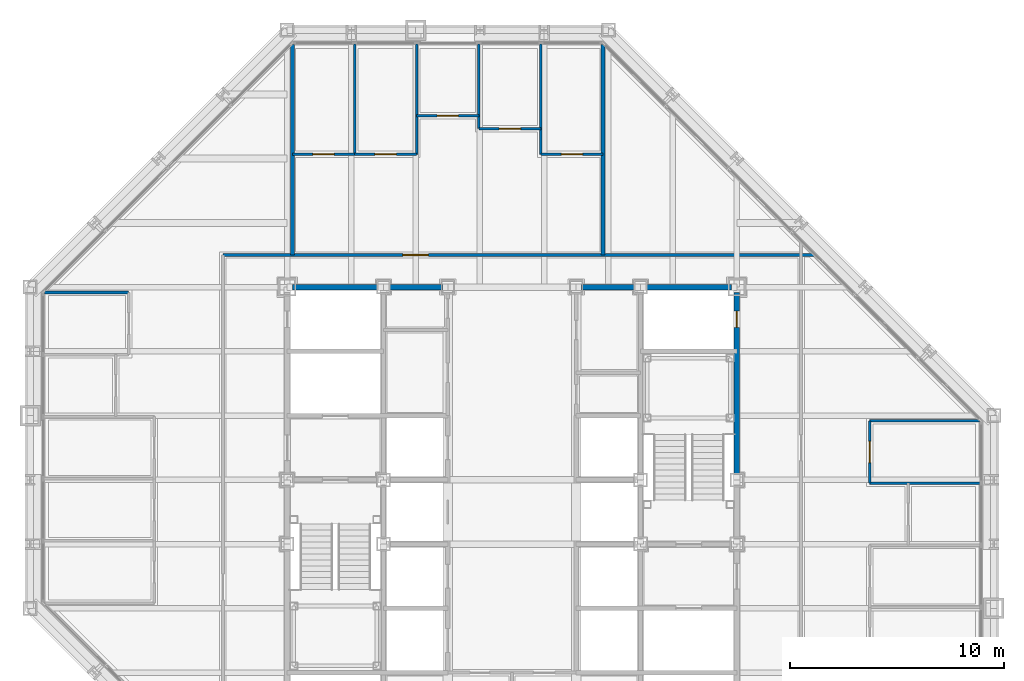
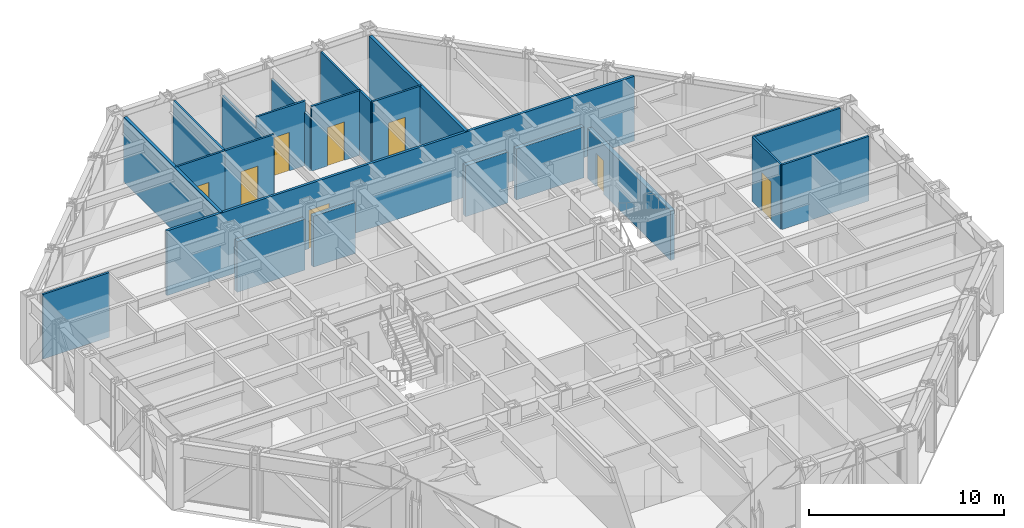
# One storey, part 12 of 15: 21 walls, 8 doors, 8 openings.
"""IFC4 building model written with IfcOpenShell, lengths in metres."""

from ifc_helpers import new_model, si_unit, direction, frame, frame_2d, origin, place, context, subcontext, project, spatial, rectangle, extrude, material, layer, layer_set, type_object, element, fill, save


model = new_model("IFC4")

# Units and contexts
model_context = context("Model", 3, precision=1e-05, world=origin(), true_north=direction((0.0, 1.0)))
body_context = subcontext(model_context, "Body", "Model", "MODEL_VIEW")
ifc_project = project(units=[si_unit("LENGTHUNIT", "METRE"), si_unit("AREAUNIT", "SQUARE_METRE"), si_unit("VOLUMEUNIT", "CUBIC_METRE"), si_unit("PLANEANGLEUNIT", "RADIAN"), si_unit("MASSUNIT", "GRAM", prefix="KILO")], contexts=[model_context])

# Site, building, storey
site_placement = place(None, origin())
site = spatial("IfcSite", under=ifc_project, at=site_placement, CompositionType="ELEMENT")
building_placement = place(site_placement, origin())
building = spatial("IfcBuilding", under=site, at=building_placement, Name="Chuquiago Exchange Tower", CompositionType="ELEMENT")
storey_placement = place(building_placement, frame((0.0, 0.0, 197.10009765625)))
storey = spatial("IfcBuildingStorey", under=building, at=storey_placement, Name="L43", CompositionType="ELEMENT", Elevation=197.10009765625)

# Walls
ifc_material_1 = material(Name="Concrete masonry, fully grouted", Category="masonry")
ifc_layer_1 = layer(ifc_material_1, 0.25)
ifc_layer_set_1 = layer_set([ifc_layer_1], Name="W1 core wall 250")
wall_type_1 = type_object("IfcWallType", Name="W1 core wall 250", PredefinedType="SOLIDWALL", material=ifc_layer_set_1)
wall_1_placement = place(storey_placement, frame((12.25, 33.0, 0.0), z_axis=(0.0, 0.0, 1.0), x_axis=(1.0, 0.0, 0.0)))
element("IfcWall", 1, at=wall_1_placement, inside=storey, type_object=wall_type_1, Name="CW-L43-11-0", PredefinedType="SOLIDWALL", context=body_context, shape_type="SweptSolid", body=[
    extrude(rectangle(XDim=4.0, YDim=0.25, at=frame_2d((2.0, 0.0))), origin(), (0.0, 0.0, 1.0), 3.181396484375),
])
for number, where, z_axis, x_axis, name in (
    (2, (16.75, 33.0, 0.0), (0.0, 0.0, 1.0), (1.0, 0.0, 0.0), "CW-L43-11-1"),
    (3, (25.75, 33.0, 0.0), (0.0, 0.0, 1.0), (1.0, 0.0, 0.0), "CW-L43-12-0"),
):
    element("IfcWall", number, at=place(storey_placement, frame(where, z_axis=z_axis, x_axis=x_axis)), inside=storey, type_object=wall_type_1, Name=name, PredefinedType="SOLIDWALL", context=body_context, shape_type="SweptSolid", body=[
        extrude(rectangle(XDim=2.5, YDim=0.25, at=frame_2d((1.25, 0.0))), origin(), (0.0, 0.0, 1.0), 3.181396484375),
    ])
wall_2_placement = place(storey_placement, frame((28.75, 33.0, 0.0), z_axis=(0.0, 0.0, 1.0), x_axis=(1.0, 0.0, 0.0)))
element("IfcWall", 4, at=wall_2_placement, inside=storey, type_object=wall_type_1, Name="CW-L43-12-1", PredefinedType="SOLIDWALL", context=body_context, shape_type="SweptSolid", body=[
    extrude(rectangle(XDim=4.0, YDim=0.25, at=frame_2d((2.0, 0.0))), origin(), (0.0, 0.0, 1.0), 3.181396484375),
])

# Wall, opening, door
wall_3_placement = place(storey_placement, frame((33.0, 24.25, 0.0), z_axis=(0.0, 0.0, 1.0), x_axis=(0.0, 1.0, 0.0)))
wall_3 = element("IfcWall", 5, at=wall_3_placement, inside=storey, type_object=wall_type_1, Name="CW-L43-25-2", PredefinedType="SOLIDWALL", context=body_context, shape_type="SweptSolid", body=[
    extrude(rectangle(XDim=8.5, YDim=0.25, at=frame_2d((4.25, 0.0))), origin(), (0.0, 0.0, 1.0), 3.11279296875),
])
opening_1_placement = place(wall_3_placement, frame((6.875, 0.0, 0.0)))
opening_1 = element("IfcOpeningElement", 6, at=opening_1_placement, cuts=wall_3, Name="Opening L43-010", PredefinedType="OPENING", context=body_context, shape_type="SweptSolid", body=[
    extrude(rectangle(XDim=0.75, YDim=2.10009765625, at=frame_2d((0.375, 1.050048828125))), frame((0.0, 0.135009765625, 0.0), z_axis=(0.0, -1.0, 0.0), x_axis=(1.0, 0.0, 0.0)), (0.0, 0.0, 1.0), 0.27001953125),
])
ifc_material_2 = material(Name="Steel door, painted", Category="steel")
door_type_1 = type_object("IfcDoorType", Name="D6 riser access door 750x2100", OperationType="SINGLE_SWING_LEFT", PredefinedType="DOOR", material=ifc_material_2)
door_1_placement = place(opening_1_placement, frame((0.75, 0.0, 0.0), z_axis=(0.0, 0.0, 1.0), x_axis=(-1.0, 0.0, 0.0)))
door_1 = element("IfcDoor", 7, at=door_1_placement, inside=storey, type_object=door_type_1, Name="Riser RE2 door", OperationType="SINGLE_SWING_LEFT", OverallHeight=2.10009765625, OverallWidth=0.75, PredefinedType="DOOR", context=body_context, shape_type="SweptSolid", body=[
    extrude(rectangle(XDim=0.75, YDim=2.10009765625, at=frame_2d((0.375, 1.050048828125))), frame((0.0, 0.02490234375, 0.0), z_axis=(0.0, -1.0, 0.0), x_axis=(1.0, 0.0, 0.0)), (0.0, 0.0, 1.0), 0.050048828125),
])
fill(opening_1, door_1)

ifc_material_3 = material(Name="Gypsum board on steel studs, acoustic insulation", Category="steel")
ifc_layer_2 = layer(ifc_material_3, 0.14990234375)
ifc_layer_set_2 = layer_set([ifc_layer_2], Name="W11 corridor wall 150")
wall_type_2 = type_object("IfcWallType", Name="W11 corridor wall 150", PredefinedType="PARTITIONING", material=ifc_layer_set_2)
wall_4_placement = place(storey_placement, frame((9.0, 34.5, 0.0), z_axis=(0.0, 0.0, 1.0), x_axis=(1.0, 0.0, 0.0)))
wall_4 = element("IfcWall", 8, at=wall_4_placement, inside=storey, type_object=wall_type_2, Name="PW-L43-CN", PredefinedType="PARTITIONING", context=body_context, shape_type="SweptSolid", body=[
    extrude(rectangle(XDim=27.614501953125, YDim=0.14990234375, at=frame_2d((13.80712890625, 0.0))), origin(), (0.0, 0.0, 1.0), 4.039794921875),
])
opening_2_placement = place(wall_4_placement, frame((8.39990234375, 0.0, 0.0)))
opening_2 = element("IfcOpeningElement", 9, at=opening_2_placement, cuts=wall_4, Name="Opening L43-040", PredefinedType="OPENING", context=body_context, shape_type="SweptSolid", body=[
    extrude(rectangle(XDim=1.199951171875, YDim=2.39990234375, at=frame_2d((0.60009765625, 1.199951171875))), frame((0.0, 0.0849609375, 0.0), z_axis=(0.0, -1.0, 0.0), x_axis=(1.0, 0.0, 0.0)), (0.0, 0.0, 1.0), 0.169921875),
])
ifc_material_4 = material(Name="Timber door, laminate faced", Category="wood")
door_type_2 = type_object("IfcDoorType", Name="D13 suite entrance door 1200x2400", OperationType="SINGLE_SWING_LEFT", PredefinedType="DOOR", material=ifc_material_4)
door_2_placement = place(opening_2_placement, origin())
door_2 = element("IfcDoor", 10, at=door_2_placement, inside=storey, type_object=door_type_2, Name="North suite entrance door", OperationType="SINGLE_SWING_LEFT", OverallHeight=2.39990234375, OverallWidth=1.199951171875, PredefinedType="DOOR", context=body_context, shape_type="SweptSolid", body=[
    extrude(rectangle(XDim=1.199951171875, YDim=2.39990234375, at=frame_2d((0.60009765625, 1.199951171875))), frame((0.0, 0.02490234375, 0.0), z_axis=(0.0, -1.0, 0.0), x_axis=(1.0, 0.0, 0.0)), (0.0, 0.0, 1.0), 0.050048828125),
])
fill(opening_2, door_2)

# Walls
ifc_material_5 = material(Name="Gypsum board on twin steel studs, acoustic insulation", Category="steel")
ifc_layer_3 = layer(ifc_material_5, 0.175048828125)
ifc_layer_set_3 = layer_set([ifc_layer_3], Name="W12 tenant demising wall 175")
wall_type_3 = type_object("IfcWallType", Name="W12 tenant demising wall 175", PredefinedType="PARTITIONING", material=ifc_layer_set_3)
for number, where, z_axis, x_axis, name in (
    (11, (12.24853515625, 44.333984375, 0.0), (0.0, 0.0, 1.0), (0.0, -1.0, 0.0), "PW-L43-DN01225"),
    (12, (26.75146484375, 44.333984375, 0.0), (0.0, 0.0, 1.0), (0.0, -1.0, 0.0), "PW-L43-DN02675"),
):
    element("IfcWall", number, at=place(storey_placement, frame(where, z_axis=z_axis, x_axis=x_axis)), inside=storey, type_object=wall_type_3, Name=name, PredefinedType="PARTITIONING", context=body_context, shape_type="SweptSolid", body=[
        extrude(rectangle(XDim=9.833984375, YDim=0.175048828125, at=frame_2d((4.9169921875, 0.0))), origin(), (0.0, 0.0, 1.0), 4.039794921875),
    ])
ifc_material_6 = material(Name="Gypsum board on steel studs", Category="steel")
ifc_layer_4 = layer(ifc_material_6, 0.1201171875)
ifc_layer_set_4 = layer_set([ifc_layer_4], Name="W4 partition 120")
wall_type_4 = type_object("IfcWallType", Name="W4 partition 120", PredefinedType="PARTITIONING", material=ifc_layer_set_4)
wall_5_placement = place(storey_placement, frame((44.347412109375, 23.850830078125, 0.0), z_axis=(0.0, 0.0, 1.0), x_axis=(-1.0, 0.0, 0.0)))
element("IfcWall", 13, at=wall_5_placement, inside=storey, type_object=wall_type_4, Name="PW-L43-E02385", PredefinedType="PARTITIONING", context=body_context, shape_type="SweptSolid", body=[
    extrude(rectangle(XDim=5.1474609375, YDim=0.1201171875, at=frame_2d((2.57373046875, 0.0))), origin(), (0.0, 0.0, 1.0), 4.039794921875),
])
wall_6_placement = place(storey_placement, frame((44.333984375, 26.75146484375, 0.0), z_axis=(0.0, 0.0, 1.0), x_axis=(-1.0, 0.0, 0.0)))
element("IfcWall", 14, at=wall_6_placement, inside=storey, type_object=wall_type_4, Name="PW-L43-E02675", PredefinedType="PARTITIONING", context=body_context, shape_type="SweptSolid", body=[
    extrude(rectangle(XDim=5.134033203125, YDim=0.1201171875, at=frame_2d((2.56689453125, 0.0))), origin(), (0.0, 0.0, 1.0), 4.039794921875),
])

# Wall, opening, door
wall_7_placement = place(storey_placement, frame((39.199951171875, 23.850830078125, 0.0), z_axis=(0.0, 0.0, 1.0), x_axis=(0.0, 1.0, 0.0)))
wall_7 = element("IfcWall", 15, at=wall_7_placement, inside=storey, type_object=wall_type_4, Name="PW-L43-EF02385", PredefinedType="PARTITIONING", context=body_context, shape_type="SweptSolid", body=[
    extrude(rectangle(XDim=2.900634765625, YDim=0.1201171875, at=frame_2d((1.4501953125, 0.0))), origin(), (0.0, 0.0, 1.0), 4.039794921875),
])
opening_3_placement = place(wall_7_placement, frame((0.9501953125, 0.0, 0.0)))
opening_3 = element("IfcOpeningElement", 16, at=opening_3_placement, cuts=wall_7, Name="Opening L43-028", PredefinedType="OPENING", context=body_context, shape_type="SweptSolid", body=[
    extrude(rectangle(XDim=1.0, YDim=2.39990234375, at=frame_2d((0.5, 1.199951171875))), frame((0.0, 0.070068359375, 0.0), z_axis=(0.0, -1.0, 0.0), x_axis=(1.0, 0.0, 0.0)), (0.0, 0.0, 1.0), 0.14013671875),
])
ifc_material_7 = material(Name="Timber frame door, full height glazed panel", Category="wood")
door_type_3 = type_object("IfcDoorType", Name="D14 glazed meeting room door 1000x2400", OperationType="SINGLE_SWING_LEFT", PredefinedType="DOOR", material=ifc_material_7)
door_3_placement = place(opening_3_placement, frame((1.0, 0.0, 0.0), z_axis=(0.0, 0.0, 1.0), x_axis=(-1.0, 0.0, 0.0)))
door_3 = element("IfcDoor", 17, at=door_3_placement, inside=storey, type_object=door_type_3, Name="Meeting room door", OperationType="SINGLE_SWING_RIGHT", OverallHeight=2.39990234375, OverallWidth=1.0, PredefinedType="DOOR", context=body_context, shape_type="SweptSolid", body=[
    extrude(rectangle(XDim=1.0, YDim=2.39990234375, at=frame_2d((0.5, 1.199951171875))), frame((0.0, 0.02490234375, 0.0), z_axis=(0.0, -1.0, 0.0), x_axis=(1.0, 0.0, 0.0)), (0.0, 0.0, 1.0), 0.050048828125),
])
fill(opening_3, door_3)

# Walls
wall_8_placement = place(storey_placement, frame((15.149169921875, 44.347412109375, 0.0), z_axis=(0.0, 0.0, 1.0), x_axis=(0.0, -1.0, 0.0)))
element("IfcWall", 18, at=wall_8_placement, inside=storey, type_object=wall_type_4, Name="PW-L43-N01515", PredefinedType="PARTITIONING", context=body_context, shape_type="SweptSolid", body=[
    extrude(rectangle(XDim=5.1474609375, YDim=0.1201171875, at=frame_2d((2.57373046875, 0.0))), origin(), (0.0, 0.0, 1.0), 4.039794921875),
])
wall_9_placement = place(storey_placement, frame((18.0498046875, 44.347412109375, 0.0), z_axis=(0.0, 0.0, 1.0), x_axis=(0.0, -1.0, 0.0)))
element("IfcWall", 19, at=wall_9_placement, inside=storey, type_object=wall_type_4, Name="PW-L43-N01805", PredefinedType="PARTITIONING", context=body_context, shape_type="SweptSolid", body=[
    extrude(rectangle(XDim=5.1474609375, YDim=0.1201171875, at=frame_2d((2.57373046875, 0.0))), origin(), (0.0, 0.0, 1.0), 3.356689453125),
])
wall_10_placement = place(storey_placement, frame((20.9501953125, 44.347412109375, 0.0), z_axis=(0.0, 0.0, 1.0), x_axis=(0.0, -1.0, 0.0)))
element("IfcWall", 20, at=wall_10_placement, inside=storey, type_object=wall_type_4, Name="PW-L43-N02095", PredefinedType="PARTITIONING", context=body_context, shape_type="SweptSolid", body=[
    extrude(rectangle(XDim=3.947509765625, YDim=0.1201171875, at=frame_2d((1.9736328125, 0.0))), origin(), (0.0, 0.0, 1.0), 3.356689453125),
])
wall_11_placement = place(storey_placement, frame((23.850830078125, 44.347412109375, 0.0), z_axis=(0.0, 0.0, 1.0), x_axis=(0.0, -1.0, 0.0)))
element("IfcWall", 21, at=wall_11_placement, inside=storey, type_object=wall_type_4, Name="PW-L43-N02385", PredefinedType="PARTITIONING", context=body_context, shape_type="SweptSolid", body=[
    extrude(rectangle(XDim=5.1474609375, YDim=0.1201171875, at=frame_2d((2.57373046875, 0.0))), origin(), (0.0, 0.0, 1.0), 4.039794921875),
])

# Wall, opening, door
wall_12_placement = place(storey_placement, frame((12.24853515625, 39.199951171875, 0.0), z_axis=(0.0, 0.0, 1.0), x_axis=(1.0, 0.0, 0.0)))
wall_12 = element("IfcWall", 22, at=wall_12_placement, inside=storey, type_object=wall_type_4, Name="PW-L43-NF01225", PredefinedType="PARTITIONING", context=body_context, shape_type="SweptSolid", body=[
    extrude(rectangle(XDim=2.900634765625, YDim=0.1201171875, at=frame_2d((1.4501953125, 0.0))), origin(), (0.0, 0.0, 1.0), 4.039794921875),
])
opening_4_placement = place(wall_12_placement, frame((0.9501953125, 0.0, 0.0)))
opening_4 = element("IfcOpeningElement", 23, at=opening_4_placement, cuts=wall_12, Name="Opening L43-029", PredefinedType="OPENING", context=body_context, shape_type="SweptSolid", body=[
    extrude(rectangle(XDim=1.0, YDim=2.39990234375, at=frame_2d((0.5, 1.199951171875))), frame((0.0, 0.070068359375, 0.0), z_axis=(0.0, -1.0, 0.0), x_axis=(1.0, 0.0, 0.0)), (0.0, 0.0, 1.0), 0.14013671875),
])
ifc_material_8 = material(Name="Timber door, laminate faced", Category="wood")
door_type_4 = type_object("IfcDoorType", Name="D9 room door 1000x2400", OperationType="SINGLE_SWING_LEFT", PredefinedType="DOOR", material=ifc_material_8)
door_4_placement = place(opening_4_placement, origin())
door_4 = element("IfcDoor", 24, at=door_4_placement, inside=storey, type_object=door_type_4, Name="Office door", OperationType="SINGLE_SWING_LEFT", OverallHeight=2.39990234375, OverallWidth=1.0, PredefinedType="DOOR", context=body_context, shape_type="SweptSolid", body=[
    extrude(rectangle(XDim=1.0, YDim=2.39990234375, at=frame_2d((0.5, 1.199951171875))), frame((0.0, 0.02490234375, 0.0), z_axis=(0.0, -1.0, 0.0), x_axis=(1.0, 0.0, 0.0)), (0.0, 0.0, 1.0), 0.050048828125),
])
fill(opening_4, door_4)

wall_13_placement = place(storey_placement, frame((15.149169921875, 39.199951171875, 0.0), z_axis=(0.0, 0.0, 1.0), x_axis=(1.0, 0.0, 0.0)))
wall_13 = element("IfcWall", 25, at=wall_13_placement, inside=storey, type_object=wall_type_4, Name="PW-L43-NF01515", PredefinedType="PARTITIONING", context=body_context, shape_type="SweptSolid", body=[
    extrude(rectangle(XDim=2.900634765625, YDim=0.1201171875, at=frame_2d((1.4501953125, 0.0))), origin(), (0.0, 0.0, 1.0), 4.039794921875),
])
opening_5_placement = place(wall_13_placement, frame((0.9501953125, 0.0, 0.0)))
opening_5 = element("IfcOpeningElement", 26, at=opening_5_placement, cuts=wall_13, Name="Opening L43-030", PredefinedType="OPENING", context=body_context, shape_type="SweptSolid", body=[
    extrude(rectangle(XDim=1.0, YDim=2.39990234375, at=frame_2d((0.5, 1.199951171875))), frame((0.0, 0.070068359375, 0.0), z_axis=(0.0, -1.0, 0.0), x_axis=(1.0, 0.0, 0.0)), (0.0, 0.0, 1.0), 0.14013671875),
])
door_5_placement = place(opening_5_placement, origin())
door_5 = element("IfcDoor", 27, at=door_5_placement, inside=storey, type_object=door_type_4, Name="Office door", OperationType="SINGLE_SWING_LEFT", OverallHeight=2.39990234375, OverallWidth=1.0, PredefinedType="DOOR", context=body_context, shape_type="SweptSolid", body=[
    extrude(rectangle(XDim=1.0, YDim=2.39990234375, at=frame_2d((0.5, 1.199951171875))), frame((0.0, 0.02490234375, 0.0), z_axis=(0.0, -1.0, 0.0), x_axis=(1.0, 0.0, 0.0)), (0.0, 0.0, 1.0), 0.050048828125),
])
fill(opening_5, door_5)

wall_14_placement = place(storey_placement, frame((18.0498046875, 41.0, 0.0), z_axis=(0.0, 0.0, 1.0), x_axis=(1.0, 0.0, 0.0)))
wall_14 = element("IfcWall", 28, at=wall_14_placement, inside=storey, type_object=wall_type_4, Name="PW-L43-NF01805", PredefinedType="PARTITIONING", context=body_context, shape_type="SweptSolid", body=[
    extrude(rectangle(XDim=2.900390625, YDim=0.1201171875, at=frame_2d((1.4501953125, 0.0))), origin(), (0.0, 0.0, 1.0), 4.039794921875),
])
opening_6_placement = place(wall_14_placement, frame((0.9501953125, 0.0, 0.0)))
opening_6 = element("IfcOpeningElement", 29, at=opening_6_placement, cuts=wall_14, Name="Opening L43-031", PredefinedType="OPENING", context=body_context, shape_type="SweptSolid", body=[
    extrude(rectangle(XDim=1.0, YDim=2.39990234375, at=frame_2d((0.5, 1.199951171875))), frame((0.0, 0.070068359375, 0.0), z_axis=(0.0, -1.0, 0.0), x_axis=(1.0, 0.0, 0.0)), (0.0, 0.0, 1.0), 0.14013671875),
])
door_6_placement = place(opening_6_placement, origin())
door_6 = element("IfcDoor", 30, at=door_6_placement, inside=storey, type_object=door_type_3, Name="Focus room door", OperationType="SINGLE_SWING_RIGHT", OverallHeight=2.39990234375, OverallWidth=1.0, PredefinedType="DOOR", context=body_context, shape_type="SweptSolid", body=[
    extrude(rectangle(XDim=1.0, YDim=2.39990234375, at=frame_2d((0.5, 1.199951171875))), frame((0.0, 0.02490234375, 0.0), z_axis=(0.0, -1.0, 0.0), x_axis=(1.0, 0.0, 0.0)), (0.0, 0.0, 1.0), 0.050048828125),
])
fill(opening_6, door_6)

wall_15_placement = place(storey_placement, frame((20.9501953125, 40.39990234375, 0.0), z_axis=(0.0, 0.0, 1.0), x_axis=(1.0, 0.0, 0.0)))
wall_15 = element("IfcWall", 31, at=wall_15_placement, inside=storey, type_object=wall_type_4, Name="PW-L43-NF02095", PredefinedType="PARTITIONING", context=body_context, shape_type="SweptSolid", body=[
    extrude(rectangle(XDim=2.900634765625, YDim=0.1201171875, at=frame_2d((1.4501953125, 0.0))), origin(), (0.0, 0.0, 1.0), 4.039794921875),
])
opening_7_placement = place(wall_15_placement, frame((0.9501953125, 0.0, 0.0)))
opening_7 = element("IfcOpeningElement", 32, at=opening_7_placement, cuts=wall_15, Name="Opening L43-032", PredefinedType="OPENING", context=body_context, shape_type="SweptSolid", body=[
    extrude(rectangle(XDim=1.0, YDim=2.39990234375, at=frame_2d((0.5, 1.199951171875))), frame((0.0, 0.070068359375, 0.0), z_axis=(0.0, -1.0, 0.0), x_axis=(1.0, 0.0, 0.0)), (0.0, 0.0, 1.0), 0.14013671875),
])
door_7_placement = place(opening_7_placement, origin())
door_7 = element("IfcDoor", 33, at=door_7_placement, inside=storey, type_object=door_type_4, Name="Pantry door", OperationType="SINGLE_SWING_LEFT", OverallHeight=2.39990234375, OverallWidth=1.0, PredefinedType="DOOR", context=body_context, shape_type="SweptSolid", body=[
    extrude(rectangle(XDim=1.0, YDim=2.39990234375, at=frame_2d((0.5, 1.199951171875))), frame((0.0, 0.02490234375, 0.0), z_axis=(0.0, -1.0, 0.0), x_axis=(1.0, 0.0, 0.0)), (0.0, 0.0, 1.0), 0.050048828125),
])
fill(opening_7, door_7)

wall_16_placement = place(storey_placement, frame((23.850830078125, 39.199951171875, 0.0), z_axis=(0.0, 0.0, 1.0), x_axis=(1.0, 0.0, 0.0)))
wall_16 = element("IfcWall", 34, at=wall_16_placement, inside=storey, type_object=wall_type_4, Name="PW-L43-NF02385", PredefinedType="PARTITIONING", context=body_context, shape_type="SweptSolid", body=[
    extrude(rectangle(XDim=2.900634765625, YDim=0.1201171875, at=frame_2d((1.4501953125, 0.0))), origin(), (0.0, 0.0, 1.0), 4.039794921875),
])
opening_8_placement = place(wall_16_placement, frame((0.9501953125, 0.0, 0.0)))
opening_8 = element("IfcOpeningElement", 35, at=opening_8_placement, cuts=wall_16, Name="Opening L43-033", PredefinedType="OPENING", context=body_context, shape_type="SweptSolid", body=[
    extrude(rectangle(XDim=1.0, YDim=2.39990234375, at=frame_2d((0.5, 1.199951171875))), frame((0.0, 0.070068359375, 0.0), z_axis=(0.0, -1.0, 0.0), x_axis=(1.0, 0.0, 0.0)), (0.0, 0.0, 1.0), 0.14013671875),
])
door_8_placement = place(opening_8_placement, origin())
door_8 = element("IfcDoor", 36, at=door_8_placement, inside=storey, type_object=door_type_3, Name="Meeting room door", OperationType="SINGLE_SWING_RIGHT", OverallHeight=2.39990234375, OverallWidth=1.0, PredefinedType="DOOR", context=body_context, shape_type="SweptSolid", body=[
    extrude(rectangle(XDim=1.0, YDim=2.39990234375, at=frame_2d((0.5, 1.199951171875))), frame((0.0, 0.02490234375, 0.0), z_axis=(0.0, -1.0, 0.0), x_axis=(1.0, 0.0, 0.0)), (0.0, 0.0, 1.0), 0.050048828125),
])
fill(opening_8, door_8)

# Wall
wall_17_placement = place(storey_placement, frame((0.666015625, 32.75146484375, 0.0), z_axis=(0.0, 0.0, 1.0), x_axis=(1.0, 0.0, 0.0)))
element("IfcWall", 37, at=wall_17_placement, inside=storey, type_object=wall_type_4, Name="PW-L43-W03275", PredefinedType="PARTITIONING", context=body_context, shape_type="SweptSolid", body=[
    extrude(rectangle(XDim=3.93408203125, YDim=0.1201171875, at=frame_2d((1.967041015625, 0.0))), origin(), (0.0, 0.0, 1.0), 4.039794921875),
])

save(model, "model.ifc")
